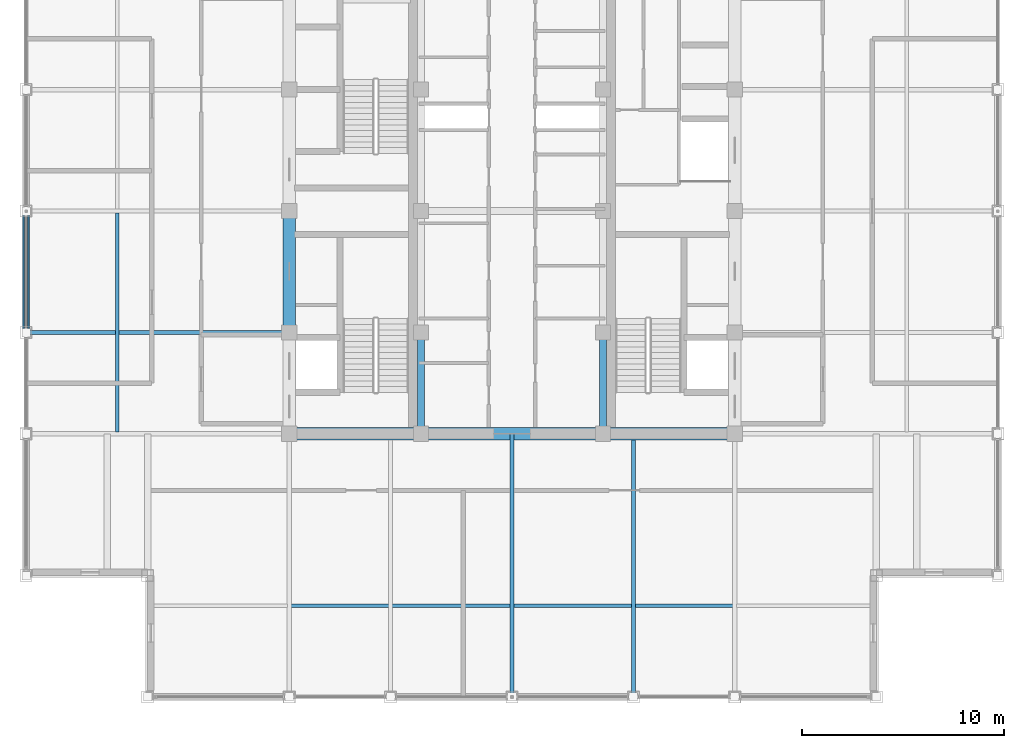
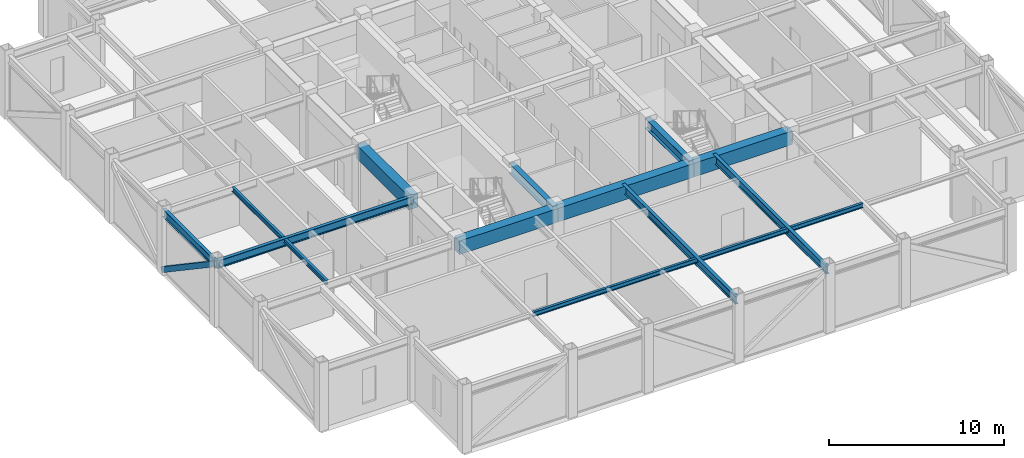
# One storey, part 5 of 27: 12 beams, 1 member.
"""IFC4 building model written with IfcOpenShell, lengths in metres."""

from ifc_helpers import new_model, si_unit, direction, frame, origin, origin_2d, place, context, subcontext, project, spatial, rectangle, hollow_rectangle, i_section, extrude, source, transform, mapped, material, material_profile, profile_set, type_object, element, save


model = new_model("IFC4")

# Units and contexts
model_context = context("Model", 3, precision=1e-05, world=origin(), true_north=direction((0.0, 1.0)))
body_context = subcontext(model_context, "Body", "Model", "MODEL_VIEW")
ifc_project = project(units=[si_unit("LENGTHUNIT", "METRE"), si_unit("AREAUNIT", "SQUARE_METRE"), si_unit("VOLUMEUNIT", "CUBIC_METRE"), si_unit("PLANEANGLEUNIT", "RADIAN"), si_unit("MASSUNIT", "GRAM", prefix="KILO")], contexts=[model_context])

# Site, building, storey
site_placement = place(None, origin())
site = spatial("IfcSite", under=ifc_project, at=site_placement, CompositionType="ELEMENT")
building_placement = place(site_placement, origin())
building = spatial("IfcBuilding", under=site, at=building_placement, Name="Khorayat Bourse Tower", CompositionType="ELEMENT")
storey_placement = place(building_placement, frame((0.0, 0.0, 380.300048828125)))
storey = spatial("IfcBuildingStorey", under=building, at=storey_placement, Name="L90", CompositionType="ELEMENT", Elevation=380.300048828125)

# Beams
ifc_material_1 = material(Name="Steel ASTM A992 Grade 50", Category="steel")
ifc_material_profile_1 = material_profile(ifc_material_1, i_section(OverallWidth=0.35498046875, OverallDepth=0.695068359375, WebThickness=0.015380859375, FlangeThickness=0.02490234375, FilletRadius=0.01806640625, at=origin_2d()), Name="W690X217")
ifc_profile_set_1 = profile_set([ifc_material_profile_1], Name="Steel ASTM A992 Grade 50")
beam_type_1 = type_object("IfcBeamType", Name="BM-GIRD-690", PredefinedType="BEAM", material=ifc_profile_set_1)
shared_shape_1 = source(origin(), body_context, "Body", "SweptSolid", [
    extrude(i_section(OverallWidth=0.35498046875, OverallDepth=0.695068359375, WebThickness=0.015380859375, FlangeThickness=0.02490234375, FilletRadius=0.01806640625, at=origin_2d()), origin(), (0.0, 0.0, 1.0), 5.0),
])
for number, where, z_axis, x_axis, name in (
    (1, (-4.5, -11.0, 4.1025390625), (0.0, 1.0, 0.0), (-1.0, 0.0, 0.0), "L90 BM-GIRD-690 BM-L90-CRX-05"),
    (2, (4.5, -11.0, 4.1025390625), (0.0, 1.0, 0.0), (-1.0, 0.0, 0.0), "L90 BM-GIRD-690 BM-L90-CRX-09"),
):
    element("IfcBeam", number, at=place(storey_placement, frame(where, z_axis=z_axis, x_axis=x_axis)), inside=storey, type_object=beam_type_1, Name=name, PredefinedType="BEAM", context=body_context, shape_type="MappedRepresentation", body=[
        mapped(shared_shape_1, transform((0.0, 0.0, 0.0), scale=1.0)),
    ])
ifc_material_2 = material(Name="Concrete C60/75", Category="concrete")
ifc_material_profile_2 = material_profile(ifc_material_2, rectangle(XDim=0.60009765625, YDim=0.949951171875, at=origin_2d()), Name="RC 600x950")
ifc_profile_set_2 = profile_set([ifc_material_profile_2], Name="Concrete C60/75")
beam_type_2 = type_object("IfcBeamType", Name="BM-COUP-950", PredefinedType="BEAM", material=ifc_profile_set_2)
shared_shape_2 = source(origin(), body_context, "Body", "SweptSolid", [
    extrude(rectangle(XDim=0.60009765625, YDim=0.949951171875, at=origin_2d()), origin(), (0.0, 0.0, 1.0), 6.0),
])
beam_1_placement = place(storey_placement, frame((-11.0, -6.0, 3.974853515625), z_axis=(0.0, 1.0, 0.0), x_axis=(-1.0, 0.0, 0.0)))
element("IfcBeam", 3, at=beam_1_placement, inside=storey, type_object=beam_type_2, Name="L90 BM-COUP-950 BM-L90-CRX-02", PredefinedType="BEAM", context=body_context, shape_type="MappedRepresentation", body=[
    mapped(shared_shape_2, transform((0.0, 0.0, 0.0), scale=1.0)),
])
shared_shape_3 = source(origin(), body_context, "Body", "SweptSolid", [
    extrude(rectangle(XDim=0.60009765625, YDim=0.949951171875, at=origin_2d()), origin(), (0.0, 0.0, 1.0), 6.5),
])
for number, where, z_axis, x_axis, name in (
    (4, (-11.0, -11.0, 3.974853515625), (1.0, 0.0, 0.0), (0.0, 1.0, 0.0), "L90 BM-COUP-950 BM-L90-CRY-17"),
    (5, (4.5, -11.0, 3.974853515625), (1.0, 0.0, 0.0), (0.0, 1.0, 0.0), "L90 BM-COUP-950 BM-L90-CRY-19"),
):
    element("IfcBeam", number, at=place(storey_placement, frame(where, z_axis=z_axis, x_axis=x_axis)), inside=storey, type_object=beam_type_2, Name=name, PredefinedType="BEAM", context=body_context, shape_type="MappedRepresentation", body=[
        mapped(shared_shape_3, transform((0.0, 0.0, 0.0), scale=1.0)),
    ])
shared_shape_4 = source(origin(), body_context, "Body", "SweptSolid", [
    extrude(rectangle(XDim=0.60009765625, YDim=0.949951171875, at=origin_2d()), origin(), (0.0, 0.0, 1.0), 9.0),
])
beam_2_placement = place(storey_placement, frame((-4.5, -11.0, 3.974853515625), z_axis=(1.0, 0.0, 0.0), x_axis=(0.0, 1.0, 0.0)))
element("IfcBeam", 6, at=beam_2_placement, inside=storey, type_object=beam_type_2, Name="L90 BM-COUP-950 BM-L90-CRY-18", PredefinedType="BEAM", context=body_context, shape_type="MappedRepresentation", body=[
    mapped(shared_shape_4, transform((0.0, 0.0, 0.0), scale=1.0)),
])
ifc_material_profile_3 = material_profile(ifc_material_1, i_section(OverallWidth=0.214111328125, OverallDepth=0.549072265625, WebThickness=0.0146484375, FlangeThickness=0.023681640625, FilletRadius=0.013916015625, at=origin_2d()), Name="W530X138")
ifc_profile_set_3 = profile_set([ifc_material_profile_3], Name="Steel ASTM A992 Grade 50")
beam_type_3 = type_object("IfcBeamType", Name="BM-SPAN-530", PredefinedType="SPANDREL", material=ifc_profile_set_3)
shared_shape_5 = source(origin(), body_context, "Body", "SweptSolid", [
    extrude(i_section(OverallWidth=0.214111328125, OverallDepth=0.549072265625, WebThickness=0.0146484375, FlangeThickness=0.023681640625, FilletRadius=0.013916015625, at=origin_2d()), origin(), (0.0, 0.0, 1.0), 6.0),
])
beam_3_placement = place(storey_placement, frame((-24.0, -6.0, 4.175537109375), z_axis=(0.0, 1.0, 0.0), x_axis=(-1.0, 0.0, 0.0)))
element("IfcBeam", 7, at=beam_3_placement, inside=storey, type_object=beam_type_3, Name="L90 BM-SPAN-530 BM-L90-SPN-051", PredefinedType="SPANDREL", context=body_context, shape_type="MappedRepresentation", body=[
    mapped(shared_shape_5, transform((0.0, 0.0, 0.0), scale=1.0)),
])
ifc_material_profile_4 = material_profile(ifc_material_1, i_section(OverallWidth=0.214111328125, OverallDepth=0.549072265625, WebThickness=0.0146484375, FlangeThickness=0.023681640625, FilletRadius=0.013916015625, at=origin_2d()), Name="W530X138")
ifc_profile_set_4 = profile_set([ifc_material_profile_4], Name="Steel ASTM A992 Grade 50")
beam_type_4 = type_object("IfcBeamType", Name="BM-GIRD-530", PredefinedType="BEAM", material=ifc_profile_set_4)
shared_shape_6 = source(origin(), body_context, "Body", "SweptSolid", [
    extrude(i_section(OverallWidth=0.214111328125, OverallDepth=0.549072265625, WebThickness=0.0146484375, FlangeThickness=0.023681640625, FilletRadius=0.013916015625, at=origin_2d()), origin(), (0.0, 0.0, 1.0), 13.0),
])
for number, where, z_axis, x_axis, name in (
    (8, (0.0, -24.0, 4.175537109375), (0.0, 1.0, 0.0), (-1.0, 0.0, 0.0), "L90 BM-GIRD-530 BM-L90-RADY-061"),
    (9, (6.0, -24.0, 4.175537109375), (0.0, 1.0, 0.0), (-1.0, 0.0, 0.0), "L90 BM-GIRD-530 BM-L90-RADY-063"),
    (10, (-24.0, -6.0, 4.175537109375), (1.0, 0.0, 0.0), (0.0, 1.0, 0.0), "L90 BM-GIRD-530 BM-L90-RADX-069"),
):
    element("IfcBeam", number, at=place(storey_placement, frame(where, z_axis=z_axis, x_axis=x_axis)), inside=storey, type_object=beam_type_4, Name=name, PredefinedType="BEAM", context=body_context, shape_type="MappedRepresentation", body=[
        mapped(shared_shape_6, transform((0.0, 0.0, 0.0), scale=1.0)),
    ])
ifc_material_profile_5 = material_profile(ifc_material_1, i_section(OverallWidth=0.1669921875, OverallDepth=0.31689453125, WebThickness=0.007568359375, FlangeThickness=0.01318359375, FilletRadius=0.010009765625, at=origin_2d()), Name="W310X52")
ifc_profile_set_5 = profile_set([ifc_material_profile_5], Name="Steel ASTM A992 Grade 50")
beam_type_5 = type_object("IfcBeamType", Name="BM-JOIST-310", PredefinedType="JOIST", material=ifc_profile_set_5)
shared_shape_7 = source(origin(), body_context, "Body", "SweptSolid", [
    extrude(i_section(OverallWidth=0.1669921875, OverallDepth=0.31689453125, WebThickness=0.007568359375, FlangeThickness=0.01318359375, FilletRadius=0.010009765625, at=origin_2d()), origin(), (0.0, 0.0, 1.0), 21.81005859375),
])
beam_4_placement = place(storey_placement, frame((-10.905029296875, -19.5, 4.29150390625), z_axis=(1.0, 0.0, 0.0), x_axis=(0.0, 1.0, 0.0)))
element("IfcBeam", 11, at=beam_4_placement, inside=storey, type_object=beam_type_5, Name="L90 BM-JOIST-310 BM-L90-JSTX-085", PredefinedType="JOIST", context=body_context, shape_type="MappedRepresentation", body=[
    mapped(shared_shape_7, transform((0.0, 0.0, 0.0), scale=1.0)),
])
shared_shape_8 = source(origin(), body_context, "Body", "SweptSolid", [
    extrude(i_section(OverallWidth=0.1669921875, OverallDepth=0.31689453125, WebThickness=0.007568359375, FlangeThickness=0.01318359375, FilletRadius=0.010009765625, at=origin_2d()), origin(), (0.0, 0.0, 1.0), 10.81005859375),
])
beam_5_placement = place(storey_placement, frame((-19.5, -10.905029296875, 4.29150390625), z_axis=(0.0, 1.0, 0.0), x_axis=(-1.0, 0.0, 0.0)))
element("IfcBeam", 12, at=beam_5_placement, inside=storey, type_object=beam_type_5, Name="L90 BM-JOIST-310 BM-L90-JSTY-090", PredefinedType="JOIST", context=body_context, shape_type="MappedRepresentation", body=[
    mapped(shared_shape_8, transform((0.0, 0.0, 0.0), scale=1.0)),
])

# Member
ifc_material_3 = material(Name="Steel EN 10025-2 S355J2", Category="steel")
ifc_material_profile_6 = material_profile(ifc_material_3, hollow_rectangle(XDim=0.35009765625, YDim=0.35009765625, WallThickness=0.02001953125, at=origin_2d()), Name="HSS 350x350x20")
ifc_profile_set_6 = profile_set([ifc_material_profile_6], Name="Steel EN 10025-2 S355J2")
member_type = type_object("IfcMemberType", Name="MBR-CROWN-350", PredefinedType="USERDEFINED", material=ifc_profile_set_6)
shared_shape_9 = source(origin(), body_context, "Body", "SweptSolid", [
    extrude(hollow_rectangle(XDim=0.35009765625, YDim=0.35009765625, WallThickness=0.02001953125, at=origin_2d()), origin(), (0.0, 0.0, 1.0), 7.239013671875),
])
member_placement = place(storey_placement, frame((-24.0, -6.0, 4.25), z_axis=(0.0, 0.828845546207, -0.559477488852), x_axis=(-1.0, 0.0, 0.0)))
element("IfcMember", 13, at=member_placement, inside=storey, type_object=member_type, Name="L90 Lantern Crown Frame Member 10", ObjectType="CROWN FRAME", PredefinedType="USERDEFINED", context=body_context, shape_type="MappedRepresentation", body=[
    mapped(shared_shape_9, transform((0.0, 0.0, 0.0), scale=1.0)),
])

save(model, "model.ifc")
